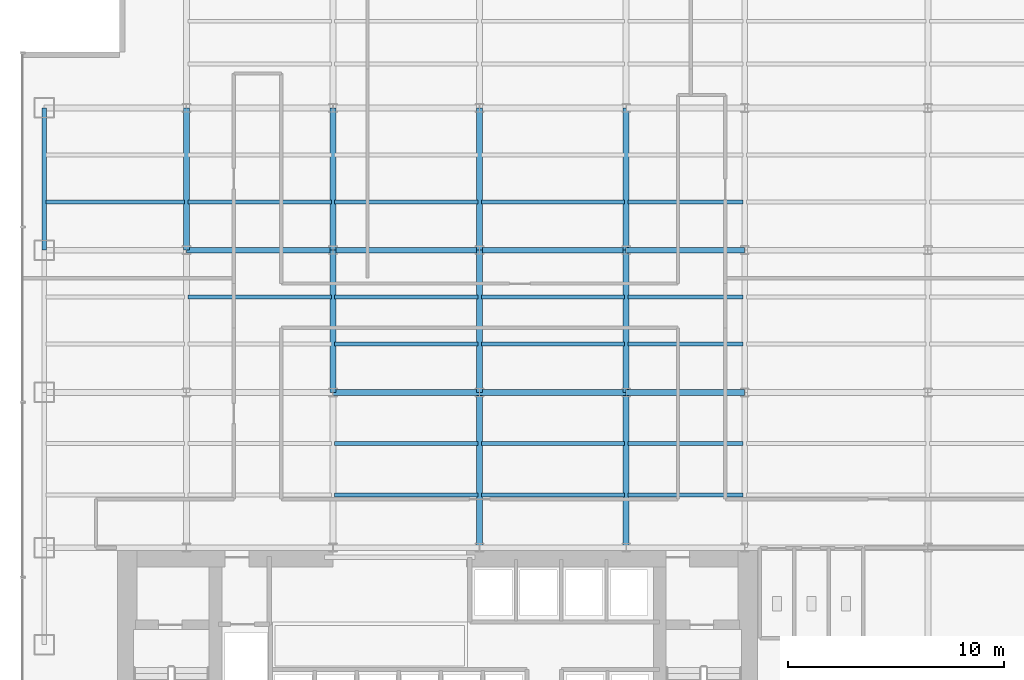
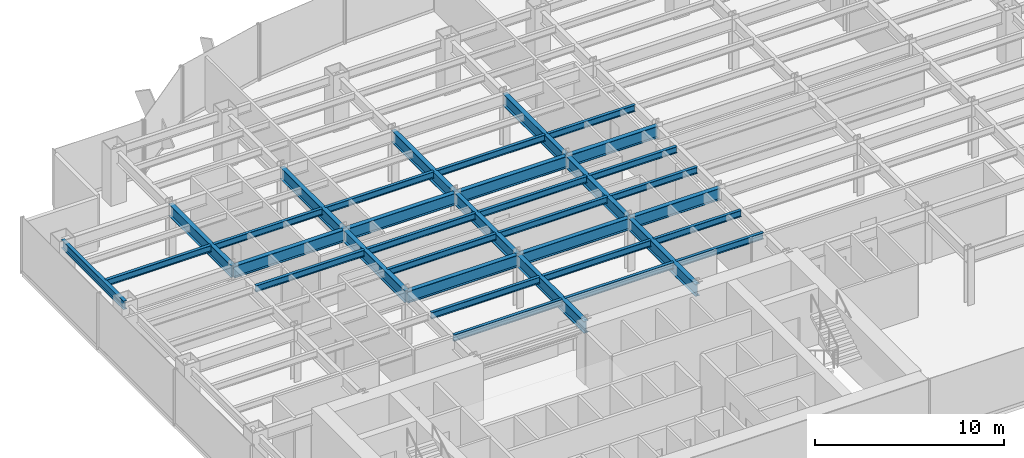
# One storey, part 5 of 22: 35 beams.
"""IFC4 building model written with IfcOpenShell, lengths in metres."""

from ifc_helpers import new_model, si_unit, derived_unit, direction, frame, origin, origin_2d, place, context, subcontext, project, spatial, i_section, extrude, source, transform, mapped, material, material_profile, profile_set, type_object, element, save


model = new_model("IFC4")

# Units and contexts
model_context = context("Model", 3, precision=1e-05, world=origin(), true_north=direction((0.0, 1.0)))
body_context = subcontext(model_context, "Body", "Model", "MODEL_VIEW")
ifc_project = project(units=[si_unit("LENGTHUNIT", "METRE"), si_unit("AREAUNIT", "SQUARE_METRE"), si_unit("VOLUMEUNIT", "CUBIC_METRE"), si_unit("PLANEANGLEUNIT", "RADIAN"), si_unit("MASSUNIT", "GRAM", prefix="KILO"), derived_unit("THERMALTRANSMITTANCEUNIT", [(si_unit("POWERUNIT", "WATT"), 1), (si_unit("LENGTHUNIT", "METRE"), -2), (si_unit("THERMODYNAMICTEMPERATUREUNIT", "KELVIN"), -1)])], contexts=[model_context])

# Site, building, storey
site_placement = place(None, origin())
site = spatial("IfcSite", under=ifc_project, at=site_placement, CompositionType="ELEMENT")
building_placement = place(site_placement, origin())
building = spatial("IfcBuilding", under=site, at=building_placement, Name="Skarnbrae Concourse Arena and Tower", CompositionType="ELEMENT")
storey_placement = place(building_placement, frame((0.0, 0.0, 61.699951171875)))
storey = spatial("IfcBuildingStorey", under=building, at=storey_placement, Name="L14", CompositionType="ELEMENT", Elevation=61.699951171875)

# Beams
ifc_material = material(Name="Steel CSA G40.21 350W", Category="steel")
ifc_material_profile_1 = material_profile(ifc_material, i_section(OverallWidth=0.26806640625, OverallDepth=0.77001953125, WebThickness=0.015625, FlangeThickness=0.025390625, at=origin_2d()), Name="W760X196")
ifc_profile_set_1 = profile_set([ifc_material_profile_1], Name="Steel CSA G40.21 350W")
beam_type_1 = type_object("IfcBeamType", Name="BM-GIRD-W760X196", PredefinedType="BEAM", material=ifc_profile_set_1)
shared_shape_1 = source(origin(), body_context, "Body", "SweptSolid", [
    extrude(i_section(OverallWidth=0.26806640625, OverallDepth=0.77001953125, WebThickness=0.015625, FlangeThickness=0.025390625, at=origin_2d()), origin(), (0.0, 0.0, 1.0), 6.60009765625),
])
for number, where, z_axis, x_axis, name in (
    (1, (14.39990234375, 21.199951171875, 3.01513671875), (0.0, 1.0, 0.0), (-1.0, 0.0, 0.0), "L14 Primary N-S girder X14.4-2"),
    (2, (21.199951171875, 21.199951171875, 3.01513671875), (0.0, 1.0, 0.0), (-1.0, 0.0, 0.0), "L14 Primary N-S girder X21.2-2"),
    (3, (28.0, 21.199951171875, 3.01513671875), (0.0, 1.0, 0.0), (-1.0, 0.0, 0.0), "L14 Primary N-S girder X28.0-2"),
):
    element("IfcBeam", number, at=place(storey_placement, frame(where, z_axis=z_axis, x_axis=x_axis)), inside=storey, type_object=beam_type_1, Name=name, PredefinedType="BEAM", context=body_context, shape_type="MappedRepresentation", body=[
        mapped(shared_shape_1, transform((0.0, 0.0, 0.0))),
    ])
shared_shape_2 = source(origin(), body_context, "Body", "SweptSolid", [
    extrude(i_section(OverallWidth=0.26806640625, OverallDepth=0.77001953125, WebThickness=0.015625, FlangeThickness=0.025390625, at=origin_2d()), origin(), (0.0, 0.0, 1.0), 6.7998046875),
])
beam_1_placement = place(storey_placement, frame((7.60009765625, 27.800048828125, 3.01513671875), z_axis=(1.0, 0.0, 0.0), x_axis=(0.0, 1.0, 0.0)))
element("IfcBeam", 4, at=beam_1_placement, inside=storey, type_object=beam_type_1, Name="L14 Primary E-W girder Y27.8-2", PredefinedType="BEAM", context=body_context, shape_type="MappedRepresentation", body=[
    mapped(shared_shape_2, transform((0.0, 0.0, 0.0))),
])
shared_shape_3 = source(origin(), body_context, "Body", "SweptSolid", [
    extrude(i_section(OverallWidth=0.26806640625, OverallDepth=0.77001953125, WebThickness=0.015625, FlangeThickness=0.025390625, at=origin_2d()), origin(), (0.0, 0.0, 1.0), 6.800048828125),
])
for number, where, z_axis, x_axis, name in (
    (5, (14.39990234375, 21.199951171875, 3.01513671875), (1.0, 0.0, 0.0), (0.0, 1.0, 0.0), "L14 Primary E-W girder Y21.2-3"),
    (6, (21.199951171875, 21.199951171875, 3.01513671875), (1.0, 0.0, 0.0), (0.0, 1.0, 0.0), "L14 Primary E-W girder Y21.2-4"),
    (7, (14.39990234375, 27.800048828125, 3.01513671875), (1.0, 0.0, 0.0), (0.0, 1.0, 0.0), "L14 Primary E-W girder Y27.8-3"),
    (8, (21.199951171875, 27.800048828125, 3.01513671875), (1.0, 0.0, 0.0), (0.0, 1.0, 0.0), "L14 Primary E-W girder Y27.8-4"),
):
    element("IfcBeam", number, at=place(storey_placement, frame(where, z_axis=z_axis, x_axis=x_axis)), inside=storey, type_object=beam_type_1, Name=name, PredefinedType="BEAM", context=body_context, shape_type="MappedRepresentation", body=[
        mapped(shared_shape_3, transform((0.0, 0.0, 0.0))),
    ])
shared_shape_4 = source(origin(), body_context, "Body", "SweptSolid", [
    extrude(i_section(OverallWidth=0.26806640625, OverallDepth=0.77001953125, WebThickness=0.015625, FlangeThickness=0.025390625, at=origin_2d()), origin(), (0.0, 0.0, 1.0), 5.5),
])
for number, where, z_axis, x_axis, name in (
    (9, (28.0, 21.199951171875, 3.01513671875), (1.0, 0.0, 0.0), (0.0, 1.0, 0.0), "L14 Primary E-W girder Y21.2-5"),
    (10, (28.0, 27.800048828125, 3.01513671875), (1.0, 0.0, 0.0), (0.0, 1.0, 0.0), "L14 Primary E-W girder Y27.8-5"),
):
    element("IfcBeam", number, at=place(storey_placement, frame(where, z_axis=z_axis, x_axis=x_axis)), inside=storey, type_object=beam_type_1, Name=name, PredefinedType="BEAM", context=body_context, shape_type="MappedRepresentation", body=[
        mapped(shared_shape_4, transform((0.0, 0.0, 0.0))),
    ])
ifc_material_profile_2 = material_profile(ifc_material, i_section(OverallWidth=0.214111328125, OverallDepth=0.549072265625, WebThickness=0.0146484375, FlangeThickness=0.023681640625, at=origin_2d()), Name="W530X138")
ifc_profile_set_2 = profile_set([ifc_material_profile_2], Name="Steel CSA G40.21 350W")
beam_type_2 = type_object("IfcBeamType", Name="BM-SPAN-W530X138", PredefinedType="SPANDREL", material=ifc_profile_set_2)
shared_shape_5 = source(origin(), body_context, "Body", "SweptSolid", [
    extrude(i_section(OverallWidth=0.214111328125, OverallDepth=0.549072265625, WebThickness=0.0146484375, FlangeThickness=0.023681640625, at=origin_2d()), origin(), (0.0, 0.0, 1.0), 6.599853515625),
])
beam_2_placement = place(storey_placement, frame((1.0, 27.800048828125, 3.12548828125), z_axis=(0.0, 1.0, 0.0), x_axis=(-1.0, 0.0, 0.0)))
element("IfcBeam", 11, at=beam_2_placement, inside=storey, type_object=beam_type_2, Name="L14 Perimeter spandrel X1.0-4", PredefinedType="SPANDREL", context=body_context, shape_type="MappedRepresentation", body=[
    mapped(shared_shape_5, transform((0.0, 0.0, 0.0))),
])
shared_shape_6 = source(origin(), body_context, "Body", "SweptSolid", [
    extrude(i_section(OverallWidth=0.26806640625, OverallDepth=0.77001953125, WebThickness=0.015625, FlangeThickness=0.025390625, at=origin_2d()), origin(), (0.0, 0.0, 1.0), 7.199951171875),
])
for number, where, z_axis, x_axis, name in (
    (12, (21.199951171875, 14.0, 3.01513671875), (0.0, 1.0, 0.0), (-1.0, 0.0, 0.0), "L14 Primary N-S girder X21.2-1"),
    (13, (28.0, 14.0, 3.01513671875), (0.0, 1.0, 0.0), (-1.0, 0.0, 0.0), "L14 Primary N-S girder X28.0-1"),
):
    element("IfcBeam", number, at=place(storey_placement, frame(where, z_axis=z_axis, x_axis=x_axis)), inside=storey, type_object=beam_type_1, Name=name, PredefinedType="BEAM", context=body_context, shape_type="MappedRepresentation", body=[
        mapped(shared_shape_6, transform((0.0, 0.0, 0.0))),
    ])
shared_shape_7 = source(origin(), body_context, "Body", "SweptSolid", [
    extrude(i_section(OverallWidth=0.26806640625, OverallDepth=0.77001953125, WebThickness=0.015625, FlangeThickness=0.025390625, at=origin_2d()), origin(), (0.0, 0.0, 1.0), 6.599853515625),
])
for number, where, z_axis, x_axis, name in (
    (14, (7.60009765625, 27.800048828125, 3.01513671875), (0.0, 1.0, 0.0), (-1.0, 0.0, 0.0), "L14 Primary N-S girder X7.6-3"),
    (15, (14.39990234375, 27.800048828125, 3.01513671875), (0.0, 1.0, 0.0), (-1.0, 0.0, 0.0), "L14 Primary N-S girder X14.4-3"),
    (16, (21.199951171875, 27.800048828125, 3.01513671875), (0.0, 1.0, 0.0), (-1.0, 0.0, 0.0), "L14 Primary N-S girder X21.2-3"),
    (17, (28.0, 27.800048828125, 3.01513671875), (0.0, 1.0, 0.0), (-1.0, 0.0, 0.0), "L14 Primary N-S girder X28.0-3"),
):
    element("IfcBeam", number, at=place(storey_placement, frame(where, z_axis=z_axis, x_axis=x_axis)), inside=storey, type_object=beam_type_1, Name=name, PredefinedType="BEAM", context=body_context, shape_type="MappedRepresentation", body=[
        mapped(shared_shape_7, transform((0.0, 0.0, 0.0))),
    ])
ifc_material_profile_3 = material_profile(ifc_material, i_section(OverallWidth=0.180908203125, OverallDepth=0.4169921875, WebThickness=0.010986328125, FlangeThickness=0.018310546875, at=origin_2d()), Name="W410X85")
ifc_profile_set_3 = profile_set([ifc_material_profile_3], Name="Steel CSA G40.21 350W")
beam_type_3 = type_object("IfcBeamType", Name="BM-JOIST-W410X85", PredefinedType="JOIST", material=ifc_profile_set_3)
shared_shape_8 = source(origin(), body_context, "Body", "SweptSolid", [
    extrude(i_section(OverallWidth=0.180908203125, OverallDepth=0.4169921875, WebThickness=0.010986328125, FlangeThickness=0.018310546875, at=origin_2d()), origin(), (0.0, 0.0, 1.0), 6.43994140625),
])
beam_3_placement = place(storey_placement, frame((1.080078125, 30.0439453125, 3.191650390625), z_axis=(1.0, 0.0, 0.0), x_axis=(0.0, 1.0, 0.0)))
element("IfcBeam", 18, at=beam_3_placement, inside=storey, type_object=beam_type_3, Name="L14 Secondary floor joist 3.1.1", PredefinedType="JOIST", context=body_context, shape_type="MappedRepresentation", body=[
    mapped(shared_shape_8, transform((0.0, 0.0, 0.0))),
])
shared_shape_9 = source(origin(), body_context, "Body", "SweptSolid", [
    extrude(i_section(OverallWidth=0.180908203125, OverallDepth=0.4169921875, WebThickness=0.010986328125, FlangeThickness=0.018310546875, at=origin_2d()), origin(), (0.0, 0.0, 1.0), 6.64013671875),
])
for number, where, z_axis, x_axis, name in (
    (19, (14.47998046875, 16.447998046875, 3.191650390625), (1.0, 0.0, 0.0), (0.0, 1.0, 0.0), "L14 Secondary floor joist 1.1.3"),
    (20, (14.47998046875, 18.823974609375, 3.191650390625), (1.0, 0.0, 0.0), (0.0, 1.0, 0.0), "L14 Secondary floor joist 1.2.3"),
    (21, (14.47998046875, 23.444091796875, 3.191650390625), (1.0, 0.0, 0.0), (0.0, 1.0, 0.0), "L14 Secondary floor joist 2.1.3"),
    (22, (7.679931640625, 25.6220703125, 3.191650390625), (1.0, 0.0, 0.0), (0.0, 1.0, 0.0), "L14 Secondary floor joist 2.2.2"),
    (23, (14.47998046875, 25.6220703125, 3.191650390625), (1.0, 0.0, 0.0), (0.0, 1.0, 0.0), "L14 Secondary floor joist 2.2.3"),
    (24, (7.679931640625, 30.0439453125, 3.191650390625), (1.0, 0.0, 0.0), (0.0, 1.0, 0.0), "L14 Secondary floor joist 3.1.2"),
    (25, (14.47998046875, 30.0439453125, 3.191650390625), (1.0, 0.0, 0.0), (0.0, 1.0, 0.0), "L14 Secondary floor joist 3.1.3"),
):
    element("IfcBeam", number, at=place(storey_placement, frame(where, z_axis=z_axis, x_axis=x_axis)), inside=storey, type_object=beam_type_3, Name=name, PredefinedType="JOIST", context=body_context, shape_type="MappedRepresentation", body=[
        mapped(shared_shape_9, transform((0.0, 0.0, 0.0))),
    ])
shared_shape_10 = source(origin(), body_context, "Body", "SweptSolid", [
    extrude(i_section(OverallWidth=0.180908203125, OverallDepth=0.4169921875, WebThickness=0.010986328125, FlangeThickness=0.018310546875, at=origin_2d()), origin(), (0.0, 0.0, 1.0), 6.639892578125),
])
for number, where, z_axis, x_axis, name in (
    (26, (21.280029296875, 16.447998046875, 3.191650390625), (1.0, 0.0, 0.0), (0.0, 1.0, 0.0), "L14 Secondary floor joist 1.1.4"),
    (27, (21.280029296875, 18.823974609375, 3.191650390625), (1.0, 0.0, 0.0), (0.0, 1.0, 0.0), "L14 Secondary floor joist 1.2.4"),
    (28, (21.280029296875, 23.444091796875, 3.191650390625), (1.0, 0.0, 0.0), (0.0, 1.0, 0.0), "L14 Secondary floor joist 2.1.4"),
    (29, (21.280029296875, 25.6220703125, 3.191650390625), (1.0, 0.0, 0.0), (0.0, 1.0, 0.0), "L14 Secondary floor joist 2.2.4"),
    (30, (21.280029296875, 30.0439453125, 3.191650390625), (1.0, 0.0, 0.0), (0.0, 1.0, 0.0), "L14 Secondary floor joist 3.1.4"),
):
    element("IfcBeam", number, at=place(storey_placement, frame(where, z_axis=z_axis, x_axis=x_axis)), inside=storey, type_object=beam_type_3, Name=name, PredefinedType="JOIST", context=body_context, shape_type="MappedRepresentation", body=[
        mapped(shared_shape_10, transform((0.0, 0.0, 0.0))),
    ])
shared_shape_11 = source(origin(), body_context, "Body", "SweptSolid", [
    extrude(i_section(OverallWidth=0.180908203125, OverallDepth=0.4169921875, WebThickness=0.010986328125, FlangeThickness=0.018310546875, at=origin_2d()), origin(), (0.0, 0.0, 1.0), 5.33984375),
])
for number, where, z_axis, x_axis, name in (
    (31, (28.080078125, 16.447998046875, 3.191650390625), (1.0, 0.0, 0.0), (0.0, 1.0, 0.0), "L14 Secondary floor joist 1.1.5"),
    (32, (28.080078125, 18.823974609375, 3.191650390625), (1.0, 0.0, 0.0), (0.0, 1.0, 0.0), "L14 Secondary floor joist 1.2.5"),
    (33, (28.080078125, 23.444091796875, 3.191650390625), (1.0, 0.0, 0.0), (0.0, 1.0, 0.0), "L14 Secondary floor joist 2.1.5"),
    (34, (28.080078125, 25.6220703125, 3.191650390625), (1.0, 0.0, 0.0), (0.0, 1.0, 0.0), "L14 Secondary floor joist 2.2.5"),
    (35, (28.080078125, 30.0439453125, 3.191650390625), (1.0, 0.0, 0.0), (0.0, 1.0, 0.0), "L14 Secondary floor joist 3.1.5"),
):
    element("IfcBeam", number, at=place(storey_placement, frame(where, z_axis=z_axis, x_axis=x_axis)), inside=storey, type_object=beam_type_3, Name=name, PredefinedType="JOIST", context=body_context, shape_type="MappedRepresentation", body=[
        mapped(shared_shape_11, transform((0.0, 0.0, 0.0))),
    ])

save(model, "model.ifc")
